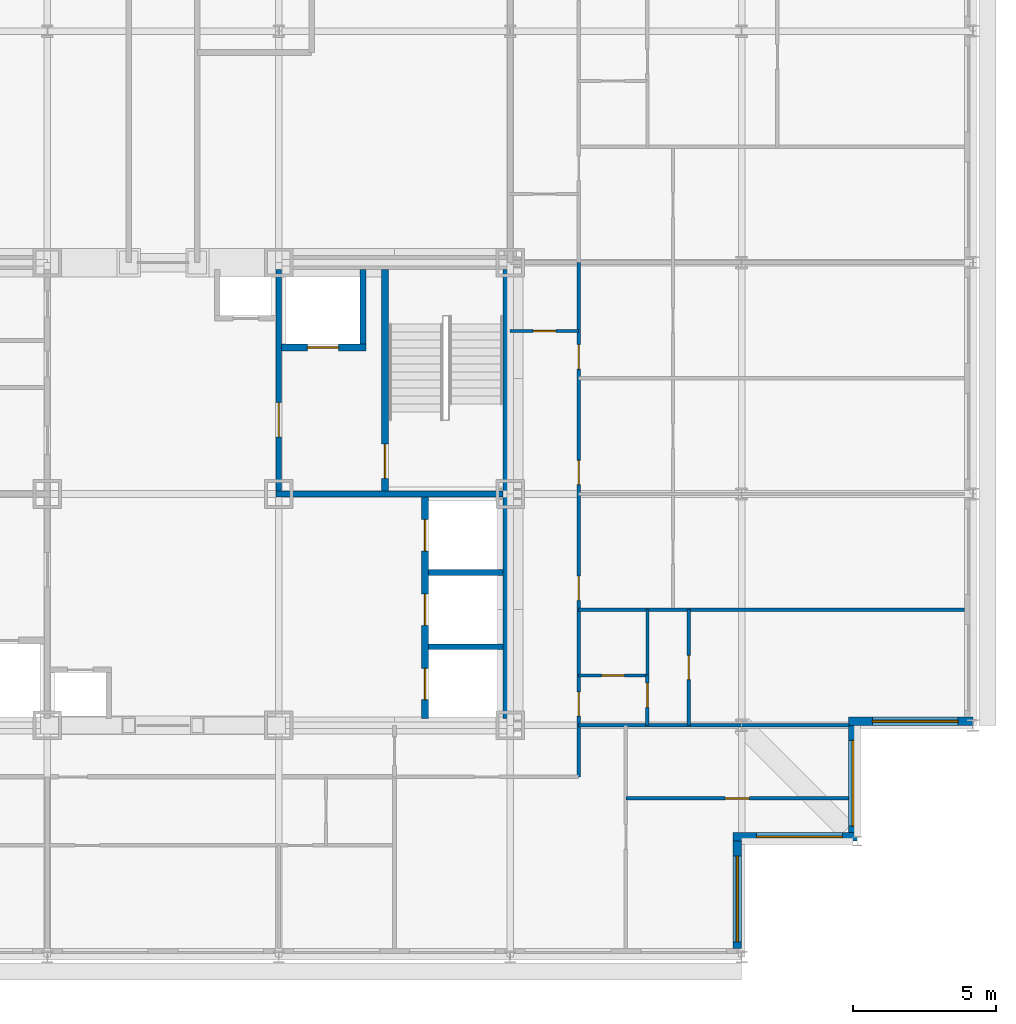
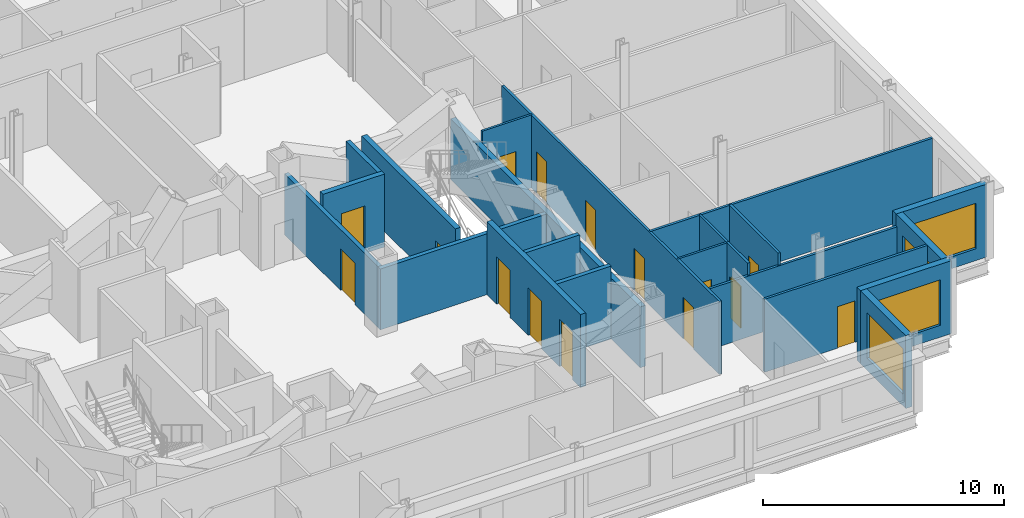
# One storey, part 10 of 15: 22 walls, 15 doors, 4 windows, 19 openings.
"""IFC4 building model written with IfcOpenShell, lengths in metres."""

from ifc_helpers import new_model, si_unit, direction, frame, frame_2d, origin, place, context, subcontext, project, spatial, rectangle, extrude, material, layer, layer_set, type_object, element, fill, save


model = new_model("IFC4")

# Units and contexts
model_context = context("Model", 3, precision=1e-05, world=origin(), true_north=direction((0.0, 1.0)))
body_context = subcontext(model_context, "Body", "Model", "MODEL_VIEW")
ifc_project = project(units=[si_unit("LENGTHUNIT", "METRE"), si_unit("AREAUNIT", "SQUARE_METRE"), si_unit("VOLUMEUNIT", "CUBIC_METRE"), si_unit("PLANEANGLEUNIT", "RADIAN"), si_unit("MASSUNIT", "GRAM", prefix="KILO")], contexts=[model_context])

# Site, building, storey
site_placement = place(None, origin())
site = spatial("IfcSite", under=ifc_project, at=site_placement, CompositionType="ELEMENT")
building_placement = place(site_placement, origin())
building = spatial("IfcBuilding", under=site, at=building_placement, Name="Kopane Lantern Tower", CompositionType="ELEMENT")
storey_placement = place(building_placement, frame((0.0, 0.0, 269.699951171875)))
storey = spatial("IfcBuildingStorey", under=building, at=storey_placement, Name="L69", CompositionType="ELEMENT", Elevation=269.699951171875)

# Wall, openings, doors
ifc_material_1 = material(Name="Gypsum board on steel studs", Category="steel")
ifc_layer_1 = layer(ifc_material_1, 0.1201171875)
ifc_layer_set_1 = layer_set([ifc_layer_1], Name="APARTMENT INTERNAL WALL 120")
wall_type_1 = type_object("IfcWallType", Name="APARTMENT INTERNAL WALL 120", PredefinedType="PARTITIONING", material=ifc_layer_set_1)
wall_1_placement = place(storey_placement, frame((42.89990234375, 22.5, 0.0), z_axis=(0.0, 0.0, 1.0), x_axis=(0.0, 1.0, 0.0)))
wall_1 = element("IfcWall", 1, at=wall_1_placement, inside=storey, type_object=wall_type_1, Name="Apartment Internal Wall 120 L69", PredefinedType="PARTITIONING", context=body_context, shape_type="SweptSolid", body=[
    extrude(rectangle(XDim=18.0, YDim=0.1201171875, at=frame_2d((9.0, 0.0))), origin(), (0.0, 0.0, 1.0), 3.68994140625),
])
opening_1_placement = place(wall_1_placement, frame((2.125, 0.0, 0.0)))
opening_1 = element("IfcOpeningElement", 2, at=opening_1_placement, cuts=wall_1, Name="Opening L69-050", PredefinedType="OPENING", context=body_context, shape_type="SweptSolid", body=[
    extrude(rectangle(XDim=0.85009765625, YDim=2.10009765625, at=frame_2d((0.425048828125, 1.050048828125))), frame((0.0, 0.070068359375, 0.0), z_axis=(0.0, -1.0, 0.0), x_axis=(1.0, 0.0, 0.0)), (0.0, 0.0, 1.0), 0.14013671875),
])
opening_2_placement = place(wall_1_placement, frame((6.175048828125, 0.0, 0.0)))
opening_2 = element("IfcOpeningElement", 3, at=opening_2_placement, cuts=wall_1, Name="Opening L69-051", PredefinedType="OPENING", context=body_context, shape_type="SweptSolid", body=[
    extrude(rectangle(XDim=0.85009765625, YDim=2.10009765625, at=frame_2d((0.425048828125, 1.050048828125))), frame((0.0, 0.070068359375, 0.0), z_axis=(0.0, -1.0, 0.0), x_axis=(1.0, 0.0, 0.0)), (0.0, 0.0, 1.0), 0.14013671875),
])
opening_3_placement = place(wall_1_placement, frame((10.22509765625, 0.0, 0.0)))
opening_3 = element("IfcOpeningElement", 4, at=opening_3_placement, cuts=wall_1, Name="Opening L69-052", PredefinedType="OPENING", context=body_context, shape_type="SweptSolid", body=[
    extrude(rectangle(XDim=0.85009765625, YDim=2.10009765625, at=frame_2d((0.425048828125, 1.050048828125))), frame((0.0, 0.070068359375, 0.0), z_axis=(0.0, -1.0, 0.0), x_axis=(1.0, 0.0, 0.0)), (0.0, 0.0, 1.0), 0.14013671875),
])
opening_4_placement = place(wall_1_placement, frame((14.27490234375, 0.0, 0.0)))
opening_4 = element("IfcOpeningElement", 5, at=opening_4_placement, cuts=wall_1, Name="Opening L69-053", PredefinedType="OPENING", context=body_context, shape_type="SweptSolid", body=[
    extrude(rectangle(XDim=0.85009765625, YDim=2.10009765625, at=frame_2d((0.425048828125, 1.050048828125))), frame((0.0, 0.070068359375, 0.0), z_axis=(0.0, -1.0, 0.0), x_axis=(1.0, 0.0, 0.0)), (0.0, 0.0, 1.0), 0.14013671875),
])
ifc_material_2 = material(Name="Timber door set", Category="wood")
door_type_1 = type_object("IfcDoorType", Name="DOOR D4 850x2100", OperationType="SINGLE_SWING_LEFT", PredefinedType="DOOR", material=ifc_material_2)
door_1_placement = place(opening_1_placement, origin())
door_1 = element("IfcDoor", 6, at=door_1_placement, inside=storey, type_object=door_type_1, Name="Door L69-050", OperationType="SINGLE_SWING_RIGHT", OverallHeight=2.10009765625, OverallWidth=0.85009765625, PredefinedType="DOOR", context=body_context, shape_type="SweptSolid", body=[
    extrude(rectangle(XDim=0.85009765625, YDim=2.10009765625, at=frame_2d((0.425048828125, 1.050048828125))), frame((0.0, 0.02490234375, 0.0), z_axis=(0.0, -1.0, 0.0), x_axis=(1.0, 0.0, 0.0)), (0.0, 0.0, 1.0), 0.050048828125),
])
fill(opening_1, door_1)
door_2_placement = place(opening_2_placement, origin())
door_2 = element("IfcDoor", 7, at=door_2_placement, inside=storey, type_object=door_type_1, Name="Door L69-051", OperationType="SINGLE_SWING_RIGHT", OverallHeight=2.10009765625, OverallWidth=0.85009765625, PredefinedType="DOOR", context=body_context, shape_type="SweptSolid", body=[
    extrude(rectangle(XDim=0.85009765625, YDim=2.10009765625, at=frame_2d((0.425048828125, 1.050048828125))), frame((0.0, 0.02490234375, 0.0), z_axis=(0.0, -1.0, 0.0), x_axis=(1.0, 0.0, 0.0)), (0.0, 0.0, 1.0), 0.050048828125),
])
fill(opening_2, door_2)
door_3_placement = place(opening_3_placement, origin())
door_3 = element("IfcDoor", 8, at=door_3_placement, inside=storey, type_object=door_type_1, Name="Door L69-052", OperationType="SINGLE_SWING_RIGHT", OverallHeight=2.10009765625, OverallWidth=0.85009765625, PredefinedType="DOOR", context=body_context, shape_type="SweptSolid", body=[
    extrude(rectangle(XDim=0.85009765625, YDim=2.10009765625, at=frame_2d((0.425048828125, 1.050048828125))), frame((0.0, 0.02490234375, 0.0), z_axis=(0.0, -1.0, 0.0), x_axis=(1.0, 0.0, 0.0)), (0.0, 0.0, 1.0), 0.050048828125),
])
fill(opening_3, door_3)
door_4_placement = place(opening_4_placement, origin())
door_4 = element("IfcDoor", 9, at=door_4_placement, inside=storey, type_object=door_type_1, Name="Door L69-053", OperationType="SINGLE_SWING_RIGHT", OverallHeight=2.10009765625, OverallWidth=0.85009765625, PredefinedType="DOOR", context=body_context, shape_type="SweptSolid", body=[
    extrude(rectangle(XDim=0.85009765625, YDim=2.10009765625, at=frame_2d((0.425048828125, 1.050048828125))), frame((0.0, 0.02490234375, 0.0), z_axis=(0.0, -1.0, 0.0), x_axis=(1.0, 0.0, 0.0)), (0.0, 0.0, 1.0), 0.050048828125),
])
fill(opening_4, door_4)

# Walls
wall_2_placement = place(storey_placement, frame((42.89990234375, 24.300048828125, 0.0), z_axis=(0.0, 0.0, 1.0), x_axis=(1.0, 0.0, 0.0)))
element("IfcWall", 10, at=wall_2_placement, inside=storey, type_object=wall_type_1, Name="Apartment Internal Wall 120 L69", PredefinedType="PARTITIONING", context=body_context, shape_type="SweptSolid", body=[
    extrude(rectangle(XDim=9.4501953125, YDim=0.1201171875, at=frame_2d((4.72509765625, 0.0))), origin(), (0.0, 0.0, 1.0), 3.077880859375),
])
wall_3_placement = place(storey_placement, frame((42.89990234375, 28.35009765625, 0.0), z_axis=(0.0, 0.0, 1.0), x_axis=(1.0, 0.0, 0.0)))
element("IfcWall", 11, at=wall_3_placement, inside=storey, type_object=wall_type_1, Name="Apartment Internal Wall 120 L69", PredefinedType="PARTITIONING", context=body_context, shape_type="SweptSolid", body=[
    extrude(rectangle(XDim=13.5, YDim=0.1201171875, at=frame_2d((6.75, 0.0))), origin(), (0.0, 0.0, 1.0), 3.68994140625),
])

# Wall, opening, door
wall_4_placement = place(storey_placement, frame((45.300048828125, 24.300048828125, 0.0), z_axis=(0.0, 0.0, 1.0), x_axis=(0.0, 1.0, 0.0)))
wall_4 = element("IfcWall", 12, at=wall_4_placement, inside=storey, type_object=wall_type_1, Name="Apartment Internal Wall 120 L69", PredefinedType="PARTITIONING", context=body_context, shape_type="SweptSolid", body=[
    extrude(rectangle(XDim=1.760009765625, YDim=0.1201171875, at=frame_2d((0.8798828125, 0.0))), origin(), (0.0, 0.0, 1.0), 3.68994140625),
])
opening_5_placement = place(wall_4_placement, frame((0.635009765625, 0.0, 0.0)))
opening_5 = element("IfcOpeningElement", 13, at=opening_5_placement, cuts=wall_4, Name="Opening L69-064", PredefinedType="OPENING", context=body_context, shape_type="SweptSolid", body=[
    extrude(rectangle(XDim=0.85009765625, YDim=2.10009765625, at=frame_2d((0.425048828125, 1.050048828125))), frame((0.0, 0.070068359375, 0.0), z_axis=(0.0, -1.0, 0.0), x_axis=(1.0, 0.0, 0.0)), (0.0, 0.0, 1.0), 0.14013671875),
])
door_5_placement = place(opening_5_placement, origin())
door_5 = element("IfcDoor", 14, at=door_5_placement, inside=storey, type_object=door_type_1, Name="Door L69-064", OperationType="SINGLE_SWING_RIGHT", OverallHeight=2.10009765625, OverallWidth=0.85009765625, PredefinedType="DOOR", context=body_context, shape_type="SweptSolid", body=[
    extrude(rectangle(XDim=0.85009765625, YDim=2.10009765625, at=frame_2d((0.425048828125, 1.050048828125))), frame((0.0, 0.02490234375, 0.0), z_axis=(0.0, -1.0, 0.0), x_axis=(1.0, 0.0, 0.0)), (0.0, 0.0, 1.0), 0.050048828125),
])
fill(opening_5, door_5)

wall_5_placement = place(storey_placement, frame((44.550048828125, 21.75, 0.0), z_axis=(0.0, 0.0, 1.0), x_axis=(1.0, 0.0, 0.0)))
wall_5 = element("IfcWall", 15, at=wall_5_placement, inside=storey, type_object=wall_type_1, Name="Apartment Internal Wall 120 L69", PredefinedType="PARTITIONING", context=body_context, shape_type="SweptSolid", body=[
    extrude(rectangle(XDim=7.800048828125, YDim=0.1201171875, at=frame_2d((3.89990234375, 0.0))), origin(), (0.0, 0.0, 1.0), 3.68994140625),
])
opening_6_placement = place(wall_5_placement, frame((3.47509765625, 0.0, 0.0)))
opening_6 = element("IfcOpeningElement", 16, at=opening_6_placement, cuts=wall_5, Name="Opening L69-067", PredefinedType="OPENING", context=body_context, shape_type="SweptSolid", body=[
    extrude(rectangle(XDim=0.85009765625, YDim=2.10009765625, at=frame_2d((0.425048828125, 1.050048828125))), frame((0.0, 0.070068359375, 0.0), z_axis=(0.0, -1.0, 0.0), x_axis=(1.0, 0.0, 0.0)), (0.0, 0.0, 1.0), 0.14013671875),
])
door_6_placement = place(opening_6_placement, origin())
door_6 = element("IfcDoor", 17, at=door_6_placement, inside=storey, type_object=door_type_1, Name="Door L69-067", OperationType="SINGLE_SWING_LEFT", OverallHeight=2.10009765625, OverallWidth=0.85009765625, PredefinedType="DOOR", context=body_context, shape_type="SweptSolid", body=[
    extrude(rectangle(XDim=0.85009765625, YDim=2.10009765625, at=frame_2d((0.425048828125, 1.050048828125))), frame((0.0, 0.02490234375, 0.0), z_axis=(0.0, -1.0, 0.0), x_axis=(1.0, 0.0, 0.0)), (0.0, 0.0, 1.0), 0.050048828125),
])
fill(opening_6, door_6)

wall_6_placement = place(storey_placement, frame((46.75, 24.300048828125, 0.0), z_axis=(0.0, 0.0, 1.0), x_axis=(0.0, 1.0, 0.0)))
wall_6 = element("IfcWall", 18, at=wall_6_placement, inside=storey, type_object=wall_type_1, Name="Apartment Internal Wall 120 L69", PredefinedType="PARTITIONING", context=body_context, shape_type="SweptSolid", body=[
    extrude(rectangle(XDim=4.050048828125, YDim=0.1201171875, at=frame_2d((2.02490234375, 0.0))), origin(), (0.0, 0.0, 1.0), 3.68994140625),
])
opening_7_placement = place(wall_6_placement, frame((1.60009765625, 0.0, 0.0)))
opening_7 = element("IfcOpeningElement", 19, at=opening_7_placement, cuts=wall_6, Name="Opening L69-068", PredefinedType="OPENING", context=body_context, shape_type="SweptSolid", body=[
    extrude(rectangle(XDim=0.85009765625, YDim=2.10009765625, at=frame_2d((0.425048828125, 1.050048828125))), frame((0.0, 0.070068359375, 0.0), z_axis=(0.0, -1.0, 0.0), x_axis=(1.0, 0.0, 0.0)), (0.0, 0.0, 1.0), 0.14013671875),
])
door_7_placement = place(opening_7_placement, origin())
door_7 = element("IfcDoor", 20, at=door_7_placement, inside=storey, type_object=door_type_1, Name="Door L69-068", OperationType="SINGLE_SWING_LEFT", OverallHeight=2.10009765625, OverallWidth=0.85009765625, PredefinedType="DOOR", context=body_context, shape_type="SweptSolid", body=[
    extrude(rectangle(XDim=0.85009765625, YDim=2.10009765625, at=frame_2d((0.425048828125, 1.050048828125))), frame((0.0, 0.02490234375, 0.0), z_axis=(0.0, -1.0, 0.0), x_axis=(1.0, 0.0, 0.0)), (0.0, 0.0, 1.0), 0.050048828125),
])
fill(opening_7, door_7)

ifc_material_3 = material(Name="Moisture-resistant board on steel studs", Category="steel")
ifc_layer_2 = layer(ifc_material_3, 0.10009765625)
ifc_layer_set_2 = layer_set([ifc_layer_2], Name="BATHROOM WALL 100")
wall_type_2 = type_object("IfcWallType", Name="BATHROOM WALL 100", PredefinedType="PARTITIONING", material=ifc_layer_set_2)
wall_7_placement = place(storey_placement, frame((40.5, 38.10009765625, 0.0), z_axis=(0.0, 0.0, 1.0), x_axis=(1.0, 0.0, 0.0)))
wall_7 = element("IfcWall", 21, at=wall_7_placement, inside=storey, type_object=wall_type_2, Name="Bathroom Wall 100 L69", PredefinedType="PARTITIONING", context=body_context, shape_type="SweptSolid", body=[
    extrude(rectangle(XDim=2.39990234375, YDim=0.10009765625, at=frame_2d((1.199951171875, 0.0))), origin(), (0.0, 0.0, 1.0), 3.68994140625),
])
opening_8_placement = place(wall_7_placement, frame((0.800048828125, 0.0, 0.0)))
opening_8 = element("IfcOpeningElement", 22, at=opening_8_placement, cuts=wall_7, Name="Opening L69-046", PredefinedType="OPENING", context=body_context, shape_type="SweptSolid", body=[
    extrude(rectangle(XDim=0.800048828125, YDim=2.10009765625, at=frame_2d((0.39990234375, 1.050048828125))), frame((0.0, 0.06005859375, 0.0), z_axis=(0.0, -1.0, 0.0), x_axis=(1.0, 0.0, 0.0)), (0.0, 0.0, 1.0), 0.1201171875),
])
ifc_material_4 = material(Name="Timber door set", Category="wood")
door_type_2 = type_object("IfcDoorType", Name="DOOR D2 800x2100", OperationType="SINGLE_SWING_LEFT", PredefinedType="DOOR", material=ifc_material_4)
door_8_placement = place(opening_8_placement, origin())
door_8 = element("IfcDoor", 23, at=door_8_placement, inside=storey, type_object=door_type_2, Name="Door L69-046", OperationType="SINGLE_SWING_LEFT", OverallHeight=2.10009765625, OverallWidth=0.800048828125, PredefinedType="DOOR", context=body_context, shape_type="SweptSolid", body=[
    extrude(rectangle(XDim=0.800048828125, YDim=2.10009765625, at=frame_2d((0.39990234375, 1.050048828125))), frame((0.0, 0.02490234375, 0.0), z_axis=(0.0, -1.0, 0.0), x_axis=(1.0, 0.0, 0.0)), (0.0, 0.0, 1.0), 0.050048828125),
])
fill(opening_8, door_8)

wall_8_placement = place(storey_placement, frame((42.89990234375, 26.050048828125, 0.0), z_axis=(0.0, 0.0, 1.0), x_axis=(1.0, 0.0, 0.0)))
wall_8 = element("IfcWall", 24, at=wall_8_placement, inside=storey, type_object=wall_type_2, Name="Bathroom Wall 100 L69", PredefinedType="PARTITIONING", context=body_context, shape_type="SweptSolid", body=[
    extrude(rectangle(XDim=2.400146484375, YDim=0.10009765625, at=frame_2d((1.2001953125, 0.0))), origin(), (0.0, 0.0, 1.0), 3.68994140625),
])
opening_9_placement = place(wall_8_placement, frame((0.800048828125, 0.0, 0.0)))
opening_9 = element("IfcOpeningElement", 25, at=opening_9_placement, cuts=wall_8, Name="Opening L69-049", PredefinedType="OPENING", context=body_context, shape_type="SweptSolid", body=[
    extrude(rectangle(XDim=0.800048828125, YDim=2.10009765625, at=frame_2d((0.39990234375, 1.050048828125))), frame((0.0, 0.06005859375, 0.0), z_axis=(0.0, -1.0, 0.0), x_axis=(1.0, 0.0, 0.0)), (0.0, 0.0, 1.0), 0.1201171875),
])
door_9_placement = place(opening_9_placement, origin())
door_9 = element("IfcDoor", 26, at=door_9_placement, inside=storey, type_object=door_type_2, Name="Door L69-049", OperationType="SINGLE_SWING_LEFT", OverallHeight=2.10009765625, OverallWidth=0.800048828125, PredefinedType="DOOR", context=body_context, shape_type="SweptSolid", body=[
    extrude(rectangle(XDim=0.800048828125, YDim=2.10009765625, at=frame_2d((0.39990234375, 1.050048828125))), frame((0.0, 0.02490234375, 0.0), z_axis=(0.0, -1.0, 0.0), x_axis=(1.0, 0.0, 0.0)), (0.0, 0.0, 1.0), 0.050048828125),
])
fill(opening_9, door_9)

# Walls
wall_9_placement = place(storey_placement, frame((45.300048828125, 26.050048828125, 0.0), z_axis=(0.0, 0.0, 1.0), x_axis=(0.0, 1.0, 0.0)))
element("IfcWall", 27, at=wall_9_placement, inside=storey, type_object=wall_type_2, Name="Bathroom Wall 100 L69", PredefinedType="PARTITIONING", context=body_context, shape_type="SweptSolid", body=[
    extrude(rectangle(XDim=2.300048828125, YDim=0.10009765625, at=frame_2d((1.14990234375, 0.0))), origin(), (0.0, 0.0, 1.0), 3.68994140625),
])
ifc_material_5 = material(Name="Gypsum shaft wall EI 120", Category="gypsum")
ifc_layer_3 = layer(ifc_material_5, 0.25)
ifc_layer_set_3 = layer_set([ifc_layer_3], Name="CORE SHAFT WALL 250 EI 120")
wall_type_3 = type_object("IfcWallType", Name="CORE SHAFT WALL 250 EI 120", PredefinedType="SOLIDWALL", material=ifc_layer_set_3)
wall_10_placement = place(storey_placement, frame((40.375, 24.550048828125, 0.0), z_axis=(0.0, 0.0, 1.0), x_axis=(0.0, 1.0, 0.0)))
element("IfcWall", 28, at=wall_10_placement, inside=storey, type_object=wall_type_3, Name="Core shaft wall L69 PE", PredefinedType="SOLIDWALL", context=body_context, shape_type="SweptSolid", body=[
    extrude(rectangle(XDim=15.699951171875, YDim=0.25, at=frame_2d((7.85009765625, 0.0))), origin(), (0.0, 0.0, 1.0), 3.077880859375),
])

# Wall, openings, doors
wall_11_placement = place(storey_placement, frame((37.52490234375, 24.550048828125, 0.0), z_axis=(0.0, 0.0, 1.0), x_axis=(0.0, 1.0, 0.0)))
wall_11 = element("IfcWall", 29, at=wall_11_placement, inside=storey, type_object=wall_type_3, Name="Core shaft wall L69 XLR", PredefinedType="SOLIDWALL", context=body_context, shape_type="SweptSolid", body=[
    extrude(rectangle(XDim=7.75, YDim=0.25, at=frame_2d((3.875, 0.0))), origin(), (0.0, 0.0, 1.0), 3.68994140625),
])
opening_10_placement = place(wall_11_placement, frame((0.64990234375, 0.0, 0.0)))
opening_10 = element("IfcOpeningElement", 30, at=opening_10_placement, cuts=wall_11, Name="Opening 69.LD-LR1", PredefinedType="OPENING", context=body_context, shape_type="SweptSolid", body=[
    extrude(rectangle(XDim=1.10009765625, YDim=2.39990234375, at=frame_2d((0.550048828125, 1.199951171875))), frame((0.0, 0.135009765625, 0.0), z_axis=(0.0, -1.0, 0.0), x_axis=(1.0, 0.0, 0.0)), (0.0, 0.0, 1.0), 0.27001953125),
])
opening_11_placement = place(wall_11_placement, frame((3.25, 0.0, 0.0)))
opening_11 = element("IfcOpeningElement", 31, at=opening_11_placement, cuts=wall_11, Name="Opening 69.LD-LR2", PredefinedType="OPENING", context=body_context, shape_type="SweptSolid", body=[
    extrude(rectangle(XDim=1.10009765625, YDim=2.39990234375, at=frame_2d((0.550048828125, 1.199951171875))), frame((0.0, 0.135009765625, 0.0), z_axis=(0.0, -1.0, 0.0), x_axis=(1.0, 0.0, 0.0)), (0.0, 0.0, 1.0), 0.27001953125),
])
opening_12_placement = place(wall_11_placement, frame((5.85009765625, 0.0, 0.0)))
opening_12 = element("IfcOpeningElement", 32, at=opening_12_placement, cuts=wall_11, Name="Opening 69.LD-LR3", PredefinedType="OPENING", context=body_context, shape_type="SweptSolid", body=[
    extrude(rectangle(XDim=1.10009765625, YDim=2.39990234375, at=frame_2d((0.550048828125, 1.199951171875))), frame((0.0, 0.135009765625, 0.0), z_axis=(0.0, -1.0, 0.0), x_axis=(1.0, 0.0, 0.0)), (0.0, 0.0, 1.0), 0.27001953125),
])
ifc_material_6 = material(Name="Steel door set", Category="steel")
door_type_3 = type_object("IfcDoorType", Name="LIFT LANDING DOOR 1100x2400 FD60", OperationType="DOUBLE_DOOR_SLIDING", PredefinedType="DOOR", material=ifc_material_6)
door_10_placement = place(opening_10_placement, origin())
door_10 = element("IfcDoor", 33, at=door_10_placement, inside=storey, type_object=door_type_3, Name="Landing door LR1 L69", OperationType="DOUBLE_DOOR_SLIDING", OverallHeight=2.39990234375, OverallWidth=1.10009765625, PredefinedType="DOOR", context=body_context, shape_type="SweptSolid", body=[
    extrude(rectangle(XDim=1.10009765625, YDim=2.39990234375, at=frame_2d((0.550048828125, 1.199951171875))), frame((0.0, 0.02490234375, 0.0), z_axis=(0.0, -1.0, 0.0), x_axis=(1.0, 0.0, 0.0)), (0.0, 0.0, 1.0), 0.050048828125),
])
fill(opening_10, door_10)
door_11_placement = place(opening_11_placement, origin())
door_11 = element("IfcDoor", 34, at=door_11_placement, inside=storey, type_object=door_type_3, Name="Landing door LR2 L69", OperationType="DOUBLE_DOOR_SLIDING", OverallHeight=2.39990234375, OverallWidth=1.10009765625, PredefinedType="DOOR", context=body_context, shape_type="SweptSolid", body=[
    extrude(rectangle(XDim=1.10009765625, YDim=2.39990234375, at=frame_2d((0.550048828125, 1.199951171875))), frame((0.0, 0.02490234375, 0.0), z_axis=(0.0, -1.0, 0.0), x_axis=(1.0, 0.0, 0.0)), (0.0, 0.0, 1.0), 0.050048828125),
])
fill(opening_11, door_11)
door_12_placement = place(opening_12_placement, origin())
door_12 = element("IfcDoor", 35, at=door_12_placement, inside=storey, type_object=door_type_3, Name="Landing door LR3 L69", OperationType="DOUBLE_DOOR_SLIDING", OverallHeight=2.39990234375, OverallWidth=1.10009765625, PredefinedType="DOOR", context=body_context, shape_type="SweptSolid", body=[
    extrude(rectangle(XDim=1.10009765625, YDim=2.39990234375, at=frame_2d((0.550048828125, 1.199951171875))), frame((0.0, 0.02490234375, 0.0), z_axis=(0.0, -1.0, 0.0), x_axis=(1.0, 0.0, 0.0)), (0.0, 0.0, 1.0), 0.050048828125),
])
fill(opening_12, door_12)

# Wall, opening, door
wall_12_placement = place(storey_placement, frame((36.125, 32.5, 0.0), z_axis=(0.0, 0.0, 1.0), x_axis=(0.0, 1.0, 0.0)))
wall_12 = element("IfcWall", 36, at=wall_12_placement, inside=storey, type_object=wall_type_3, Name="Core shaft wall L69 XST2", PredefinedType="SOLIDWALL", context=body_context, shape_type="SweptSolid", body=[
    extrude(rectangle(XDim=7.75, YDim=0.25, at=frame_2d((3.875, 0.0))), origin(), (0.0, 0.0, 1.0), 3.68994140625),
])
opening_13_placement = place(wall_12_placement, frame((0.449951171875, 0.0, 0.0)))
opening_13 = element("IfcOpeningElement", 37, at=opening_13_placement, cuts=wall_12, Name="Opening 69.SD2", PredefinedType="OPENING", context=body_context, shape_type="SweptSolid", body=[
    extrude(rectangle(XDim=1.199951171875, YDim=2.10009765625, at=frame_2d((0.60009765625, 1.050048828125))), frame((0.0, 0.135009765625, 0.0), z_axis=(0.0, -1.0, 0.0), x_axis=(1.0, 0.0, 0.0)), (0.0, 0.0, 1.0), 0.27001953125),
])
ifc_material_7 = material(Name="Steel door set", Category="steel")
door_type_4 = type_object("IfcDoorType", Name="STAIR DOOR 1200x2100 FD60S", OperationType="SINGLE_SWING_LEFT", PredefinedType="DOOR", material=ifc_material_7)
door_13_placement = place(opening_13_placement, origin())
door_13 = element("IfcDoor", 38, at=door_13_placement, inside=storey, type_object=door_type_4, Name="Stair door ST2 L69", OperationType="SINGLE_SWING_RIGHT", OverallHeight=2.10009765625, OverallWidth=1.199951171875, PredefinedType="DOOR", context=body_context, shape_type="SweptSolid", body=[
    extrude(rectangle(XDim=1.199951171875, YDim=2.10009765625, at=frame_2d((0.60009765625, 1.050048828125))), frame((0.0, 0.02490234375, 0.0), z_axis=(0.0, -1.0, 0.0), x_axis=(1.0, 0.0, 0.0)), (0.0, 0.0, 1.0), 0.050048828125),
])
fill(opening_13, door_13)

wall_13_placement = place(storey_placement, frame((32.5, 37.52490234375, 0.0), z_axis=(0.0, 0.0, 1.0), x_axis=(1.0, 0.0, 0.0)))
wall_13 = element("IfcWall", 39, at=wall_13_placement, inside=storey, type_object=wall_type_3, Name="Core shaft wall L69 YLF2", PredefinedType="SOLIDWALL", context=body_context, shape_type="SweptSolid", body=[
    extrude(rectangle(XDim=2.949951171875, YDim=0.25, at=frame_2d((1.47509765625, 0.0))), origin(), (0.0, 0.0, 1.0), 3.68994140625),
])
opening_14_placement = place(wall_13_placement, frame((0.89990234375, 0.0, 0.0)))
opening_14 = element("IfcOpeningElement", 40, at=opening_14_placement, cuts=wall_13, Name="Opening 69.LD-LF2", PredefinedType="OPENING", context=body_context, shape_type="SweptSolid", body=[
    extrude(rectangle(XDim=1.10009765625, YDim=2.39990234375, at=frame_2d((0.550048828125, 1.199951171875))), frame((0.0, 0.135009765625, 0.0), z_axis=(0.0, -1.0, 0.0), x_axis=(1.0, 0.0, 0.0)), (0.0, 0.0, 1.0), 0.27001953125),
])
door_14_placement = place(opening_14_placement, origin())
door_14 = element("IfcDoor", 41, at=door_14_placement, inside=storey, type_object=door_type_3, Name="Landing door LF2 L69", OperationType="DOUBLE_DOOR_SLIDING", OverallHeight=2.39990234375, OverallWidth=1.10009765625, PredefinedType="DOOR", context=body_context, shape_type="SweptSolid", body=[
    extrude(rectangle(XDim=1.10009765625, YDim=2.39990234375, at=frame_2d((0.550048828125, 1.199951171875))), frame((0.0, 0.02490234375, 0.0), z_axis=(0.0, -1.0, 0.0), x_axis=(1.0, 0.0, 0.0)), (0.0, 0.0, 1.0), 0.050048828125),
])
fill(opening_14, door_14)

# Wall, opening, window
ifc_material_8 = material(Name="Terracotta rainscreen on light steel framing", Category="masonry")
ifc_layer_4 = layer(ifc_material_8, 0.300048828125)
ifc_layer_set_4 = layer_set([ifc_layer_4], Name="EXTERNAL WALL EW1 300 TERRACOTTA")
wall_type_4 = type_object("IfcWallType", Name="EXTERNAL WALL EW1 300 TERRACOTTA", PredefinedType="SOLIDWALL", material=ifc_layer_set_4)
wall_14_placement = place(storey_placement, frame((48.449951171875, 16.5, 0.0), z_axis=(0.0, 0.0, 1.0), x_axis=(0.0, 1.0, 0.0)))
wall_14 = element("IfcWall", 42, at=wall_14_placement, inside=storey, type_object=wall_type_4, Name="External wall E L69", PredefinedType="SOLIDWALL", context=body_context, shape_type="SweptSolid", body=[
    extrude(rectangle(XDim=3.75, YDim=0.300048828125, at=frame_2d((1.875, 0.0))), origin(), (0.0, 0.0, 1.0), 3.68994140625),
])
opening_15_placement = place(wall_14_placement, frame((0.22509765625, 0.0, 0.60009765625)))
opening_15 = element("IfcOpeningElement", 43, at=opening_15_placement, cuts=wall_14, Name="Opening WR300230", PredefinedType="OPENING", context=body_context, shape_type="SweptSolid", body=[
    extrude(rectangle(XDim=3.0, YDim=2.300048828125, at=frame_2d((1.5, 1.14990234375))), frame((0.0, 0.159912109375, 0.0), z_axis=(0.0, -1.0, 0.0), x_axis=(1.0, 0.0, 0.0)), (0.0, 0.0, 1.0), 0.320068359375),
])
ifc_material_9 = material(Name="Aluminium and clear glass", Category="aluminium")
window_type = type_object("IfcWindowType", Name="RIBBON WINDOW WR300230 3000x2300", PartitioningType="SINGLE_PANEL", PredefinedType="WINDOW", material=ifc_material_9)
window_1_placement = place(opening_15_placement, origin())
window_1 = element("IfcWindow", 44, at=window_1_placement, inside=storey, type_object=window_type, Name="Window E L69", OverallHeight=2.300048828125, OverallWidth=3.0, PartitioningType="SINGLE_PANEL", PredefinedType="WINDOW", context=body_context, shape_type="SweptSolid", body=[
    extrude(rectangle(XDim=3.0, YDim=2.300048828125, at=frame_2d((1.5, 1.14990234375))), frame((0.0, 0.030029296875, 0.0), z_axis=(0.0, -1.0, 0.0), x_axis=(1.0, 0.0, 0.0)), (0.0, 0.0, 1.0), 0.06005859375),
])
fill(opening_15, window_1)

wall_15_placement = place(storey_placement, frame((48.300048828125, 20.39990234375, 0.0), z_axis=(0.0, 0.0, 1.0), x_axis=(1.0, 0.0, 0.0)))
wall_15 = element("IfcWall", 45, at=wall_15_placement, inside=storey, type_object=wall_type_4, Name="External wall S L69", PredefinedType="SOLIDWALL", context=body_context, shape_type="SweptSolid", body=[
    extrude(rectangle(XDim=4.349853515625, YDim=0.300048828125, at=frame_2d((2.1748046875, 0.0))), origin(), (0.0, 0.0, 1.0), 3.68994140625),
])
opening_16_placement = place(wall_15_placement, frame((0.824951171875, 0.0, 0.60009765625)))
opening_16 = element("IfcOpeningElement", 46, at=opening_16_placement, cuts=wall_15, Name="Opening WR300230", PredefinedType="OPENING", context=body_context, shape_type="SweptSolid", body=[
    extrude(rectangle(XDim=3.0, YDim=2.300048828125, at=frame_2d((1.5, 1.14990234375))), frame((0.0, 0.159912109375, 0.0), z_axis=(0.0, -1.0, 0.0), x_axis=(1.0, 0.0, 0.0)), (0.0, 0.0, 1.0), 0.320068359375),
])
window_2_placement = place(opening_16_placement, origin())
window_2 = element("IfcWindow", 47, at=window_2_placement, inside=storey, type_object=window_type, Name="Window S L69", OverallHeight=2.300048828125, OverallWidth=3.0, PartitioningType="SINGLE_PANEL", PredefinedType="WINDOW", context=body_context, shape_type="SweptSolid", body=[
    extrude(rectangle(XDim=3.0, YDim=2.300048828125, at=frame_2d((1.5, 1.14990234375))), frame((0.0, 0.030029296875, 0.0), z_axis=(0.0, -1.0, 0.0), x_axis=(1.0, 0.0, 0.0)), (0.0, 0.0, 1.0), 0.06005859375),
])
fill(opening_16, window_2)

wall_16_placement = place(storey_placement, frame((52.5, 20.550048828125, 0.0), z_axis=(0.0, 0.0, 1.0), x_axis=(0.0, 1.0, 0.0)))
wall_16 = element("IfcWall", 48, at=wall_16_placement, inside=storey, type_object=wall_type_4, Name="External wall E L69", PredefinedType="SOLIDWALL", context=body_context, shape_type="SweptSolid", body=[
    extrude(rectangle(XDim=3.75, YDim=0.300048828125, at=frame_2d((1.875, 0.0))), origin(), (0.0, 0.0, 1.0), 3.68994140625),
])
opening_17_placement = place(wall_16_placement, frame((0.22509765625, 0.0, 0.60009765625)))
opening_17 = element("IfcOpeningElement", 49, at=opening_17_placement, cuts=wall_16, Name="Opening WR300230", PredefinedType="OPENING", context=body_context, shape_type="SweptSolid", body=[
    extrude(rectangle(XDim=3.0, YDim=2.300048828125, at=frame_2d((1.5, 1.14990234375))), frame((0.0, 0.159912109375, 0.0), z_axis=(0.0, -1.0, 0.0), x_axis=(1.0, 0.0, 0.0)), (0.0, 0.0, 1.0), 0.320068359375),
])
window_3_placement = place(opening_17_placement, origin())
window_3 = element("IfcWindow", 50, at=window_3_placement, inside=storey, type_object=window_type, Name="Window E L69", OverallHeight=2.300048828125, OverallWidth=3.0, PartitioningType="SINGLE_PANEL", PredefinedType="WINDOW", context=body_context, shape_type="SweptSolid", body=[
    extrude(rectangle(XDim=3.0, YDim=2.300048828125, at=frame_2d((1.5, 1.14990234375))), frame((0.0, 0.030029296875, 0.0), z_axis=(0.0, -1.0, 0.0), x_axis=(1.0, 0.0, 0.0)), (0.0, 0.0, 1.0), 0.06005859375),
])
fill(opening_17, window_3)

wall_17_placement = place(storey_placement, frame((52.35009765625, 24.449951171875, 0.0), z_axis=(0.0, 0.0, 1.0), x_axis=(1.0, 0.0, 0.0)))
wall_17 = element("IfcWall", 51, at=wall_17_placement, inside=storey, type_object=wall_type_4, Name="External wall S L69", PredefinedType="SOLIDWALL", context=body_context, shape_type="SweptSolid", body=[
    extrude(rectangle(XDim=4.349853515625, YDim=0.300048828125, at=frame_2d((2.1748046875, 0.0))), origin(), (0.0, 0.0, 1.0), 3.68994140625),
])
opening_18_placement = place(wall_17_placement, frame((0.824951171875, 0.0, 0.60009765625)))
opening_18 = element("IfcOpeningElement", 52, at=opening_18_placement, cuts=wall_17, Name="Opening WR300230", PredefinedType="OPENING", context=body_context, shape_type="SweptSolid", body=[
    extrude(rectangle(XDim=3.0, YDim=2.300048828125, at=frame_2d((1.5, 1.14990234375))), frame((0.0, 0.159912109375, 0.0), z_axis=(0.0, -1.0, 0.0), x_axis=(1.0, 0.0, 0.0)), (0.0, 0.0, 1.0), 0.320068359375),
])
window_4_placement = place(opening_18_placement, origin())
window_4 = element("IfcWindow", 53, at=window_4_placement, inside=storey, type_object=window_type, Name="Window S L69", OverallHeight=2.300048828125, OverallWidth=3.0, PartitioningType="SINGLE_PANEL", PredefinedType="WINDOW", context=body_context, shape_type="SweptSolid", body=[
    extrude(rectangle(XDim=3.0, YDim=2.300048828125, at=frame_2d((1.5, 1.14990234375))), frame((0.0, 0.030029296875, 0.0), z_axis=(0.0, -1.0, 0.0), x_axis=(1.0, 0.0, 0.0)), (0.0, 0.0, 1.0), 0.06005859375),
])
fill(opening_18, window_4)

# Wall
ifc_material_10 = material(Name="Gypsum shaft wall EI 120", Category="gypsum")
ifc_layer_5 = layer(ifc_material_10, 0.199951171875)
ifc_layer_set_5 = layer_set([ifc_layer_5], Name="SHAFT WALL 200 EI 120")
wall_type_5 = type_object("IfcWallType", Name="SHAFT WALL 200 EI 120", PredefinedType="SOLIDWALL", material=ifc_layer_set_5)
wall_18_placement = place(storey_placement, frame((32.300048828125, 32.39990234375, 0.0), z_axis=(0.0, 0.0, 1.0), x_axis=(1.0, 0.0, 0.0)))
element("IfcWall", 54, at=wall_18_placement, inside=storey, type_object=wall_type_5, Name="Core shaft wall L69 Y324E", PredefinedType="SOLIDWALL", context=body_context, shape_type="SweptSolid", body=[
    extrude(rectangle(XDim=7.949951171875, YDim=0.199951171875, at=frame_2d((3.97509765625, 0.0))), origin(), (0.0, 0.0, 1.0), 3.077880859375),
])

# Wall, opening, door
wall_19_placement = place(storey_placement, frame((32.39990234375, 32.5, 0.0), z_axis=(0.0, 0.0, 1.0), x_axis=(0.0, 1.0, 0.0)))
wall_19 = element("IfcWall", 55, at=wall_19_placement, inside=storey, type_object=wall_type_5, Name="Core shaft wall L69 X324", PredefinedType="SOLIDWALL", context=body_context, shape_type="SweptSolid", body=[
    extrude(rectangle(XDim=7.75, YDim=0.199951171875, at=frame_2d((3.875, 0.0))), origin(), (0.0, 0.0, 1.0), 3.077880859375),
])
opening_19_placement = place(wall_19_placement, frame((1.89990234375, 0.0, 0.0)))
opening_19 = element("IfcOpeningElement", 56, at=opening_19_placement, cuts=wall_19, Name="Opening 69.FL2", PredefinedType="OPENING", context=body_context, shape_type="SweptSolid", body=[
    extrude(rectangle(XDim=1.199951171875, YDim=2.10009765625, at=frame_2d((0.60009765625, 1.050048828125))), frame((0.0, 0.10986328125, 0.0), z_axis=(0.0, -1.0, 0.0), x_axis=(1.0, 0.0, 0.0)), (0.0, 0.0, 1.0), 0.219970703125),
])
ifc_material_11 = material(Name="Steel door set", Category="steel")
door_type_5 = type_object("IfcDoorType", Name="FIREFIGHTING LOBBY DOOR 1200x2100 FD60S", OperationType="SINGLE_SWING_RIGHT", PredefinedType="DOOR", material=ifc_material_11)
door_15_placement = place(opening_19_placement, origin())
door_15 = element("IfcDoor", 57, at=door_15_placement, inside=storey, type_object=door_type_5, Name="Firefighting lobby door FL2 L69", OperationType="SINGLE_SWING_LEFT", OverallHeight=2.10009765625, OverallWidth=1.199951171875, PredefinedType="DOOR", context=body_context, shape_type="SweptSolid", body=[
    extrude(rectangle(XDim=1.199951171875, YDim=2.10009765625, at=frame_2d((0.60009765625, 1.050048828125))), frame((0.0, 0.02490234375, 0.0), z_axis=(0.0, -1.0, 0.0), x_axis=(1.0, 0.0, 0.0)), (0.0, 0.0, 1.0), 0.050048828125),
])
fill(opening_19, door_15)

# Walls
for number, where, z_axis, x_axis, name in (
    (58, (37.64990234375, 27.050048828125, 0.0), (0.0, 0.0, 1.0), (1.0, 0.0, 0.0), "Core shaft wall L69 YLR12"),
    (59, (37.64990234375, 29.64990234375, 0.0), (0.0, 0.0, 1.0), (1.0, 0.0, 0.0), "Core shaft wall L69 YLR23"),
    (60, (35.35009765625, 37.64990234375, 0.0), (0.0, 0.0, 1.0), (0.0, 1.0, 0.0), "Core shaft wall L69 XLF2"),
):
    element("IfcWall", number, at=place(storey_placement, frame(where, z_axis=z_axis, x_axis=x_axis)), inside=storey, type_object=wall_type_5, Name=name, PredefinedType="SOLIDWALL", context=body_context, shape_type="SweptSolid", body=[
        extrude(rectangle(XDim=2.60009765625, YDim=0.199951171875, at=frame_2d((1.300048828125, 0.0))), origin(), (0.0, 0.0, 1.0), 3.68994140625),
    ])

save(model, "model.ifc")
